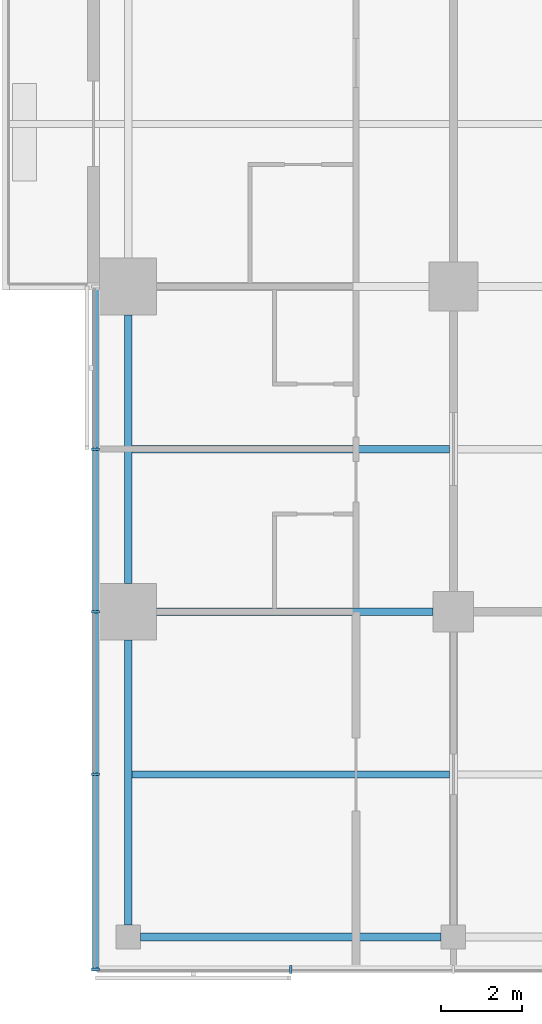
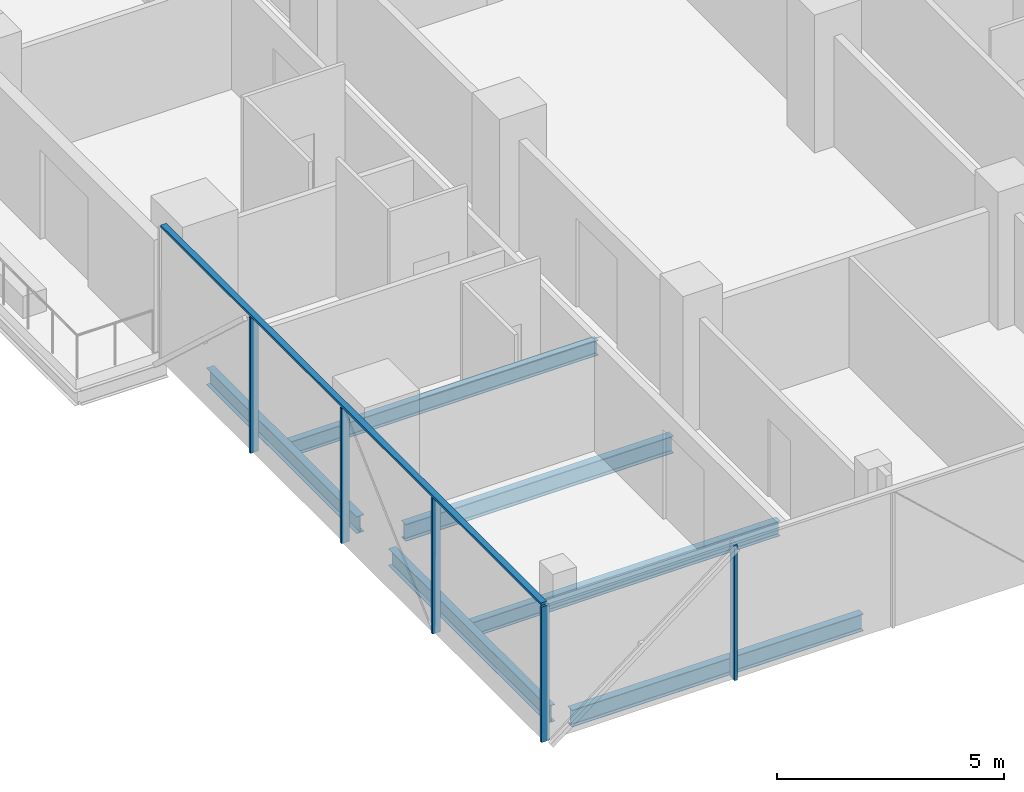
# One storey, part 2 of 27: 6 beams, 6 members, 2 elements without a shape of their own.
"""IFC4 building model written with IfcOpenShell, lengths in metres."""

from ifc_helpers import new_model, si_unit, direction, frame, origin, origin_2d, place, context, subcontext, project, spatial, rectangle, i_section, extrude, material, material_profile, profile_set, type_object, element, aggregate, save


model = new_model("IFC4")

# Units and contexts
model_context = context("Model", 3, precision=1e-05, world=origin(), true_north=direction((0.0, 1.0)))
body_context = subcontext(model_context, "Body", "Model", "MODEL_VIEW")
ifc_project = project(units=[si_unit("LENGTHUNIT", "METRE"), si_unit("AREAUNIT", "SQUARE_METRE"), si_unit("VOLUMEUNIT", "CUBIC_METRE"), si_unit("PLANEANGLEUNIT", "RADIAN"), si_unit("MASSUNIT", "GRAM", prefix="KILO")], contexts=[model_context])

# Site, building, storey
site_placement = place(None, origin())
site = spatial("IfcSite", under=ifc_project, at=site_placement, CompositionType="ELEMENT")
building_placement = place(site_placement, origin())
building = spatial("IfcBuilding", under=site, at=building_placement, Name="Crosswind Convention Tower", CompositionType="ELEMENT")
storey_placement = place(building_placement, frame((0.0, 0.0, 68.300048828125)))
storey = spatial("IfcBuildingStorey", under=building, at=storey_placement, Name="L11", CompositionType="ELEMENT", Elevation=68.300048828125)

# Beams
ifc_material_1 = material(Name="Steel S355", Category="steel")
ifc_material_profile_1 = material_profile(ifc_material_1, i_section(OverallWidth=0.1904296875, OverallDepth=0.457275390625, WebThickness=0.009033203125, FlangeThickness=0.014404296875, FilletRadius=0.01025390625, at=origin_2d()), Name="UB 457x191x75")
ifc_profile_set_1 = profile_set([ifc_material_profile_1], Name="Steel S355")
beam_type_1 = type_object("IfcBeamType", Name="Edge beam UB 457x191x75", PredefinedType="SPANDREL", material=ifc_profile_set_1)
beam_1_placement = place(storey_placement, frame((113.0, 64.300048828125, -0.508544921875), z_axis=(0.0, 1.0, 0.0), x_axis=(-1.0, 0.0, 0.0)))
element("IfcBeam", 1, at=beam_1_placement, inside=storey, type_object=beam_type_1, Name="B17 L11 edge beam 6", PredefinedType="SPANDREL", context=body_context, shape_type="SweptSolid", body=[
    extrude(i_section(OverallWidth=0.1904296875, OverallDepth=0.457275390625, WebThickness=0.009033203125, FlangeThickness=0.014404296875, FilletRadius=0.01025390625, at=origin_2d()), origin(), (0.0, 0.0, 1.0), 7.0),
])
beam_2_placement = place(storey_placement, frame((113.0, 72.699951171875, -0.508544921875), z_axis=(0.0, 1.0, 0.0), x_axis=(-1.0, 0.0, 0.0)))
element("IfcBeam", 2, at=beam_2_placement, inside=storey, type_object=beam_type_1, Name="B17 L11 edge beam 7", PredefinedType="SPANDREL", context=body_context, shape_type="SweptSolid", body=[
    extrude(i_section(OverallWidth=0.1904296875, OverallDepth=0.457275390625, WebThickness=0.009033203125, FlangeThickness=0.014404296875, FilletRadius=0.01025390625, at=origin_2d()), origin(), (0.0, 0.0, 1.0), 6.60009765625),
])
beam_3_placement = place(storey_placement, frame((113.300048828125, 64.0, -0.508544921875), z_axis=(1.0, 0.0, 0.0), x_axis=(0.0, 1.0, 0.0)))
element("IfcBeam", 3, at=beam_3_placement, inside=storey, type_object=beam_type_1, Name="B17 L11 edge beam 12", PredefinedType="SPANDREL", context=body_context, shape_type="SweptSolid", body=[
    extrude(i_section(OverallWidth=0.1904296875, OverallDepth=0.457275390625, WebThickness=0.009033203125, FlangeThickness=0.014404296875, FilletRadius=0.01025390625, at=origin_2d()), origin(), (0.0, 0.0, 1.0), 7.39990234375),
])
ifc_material_profile_2 = material_profile(ifc_material_1, i_section(OverallWidth=0.19140625, OverallDepth=0.460205078125, WebThickness=0.010009765625, FlangeThickness=0.01611328125, FilletRadius=0.01025390625, at=origin_2d()), Name="UB 457x191x82")
ifc_profile_set_2 = profile_set([ifc_material_profile_2], Name="Steel S355")
beam_type_2 = type_object("IfcBeamType", Name="Girder UB 457x191x82", PredefinedType="BEAM", material=ifc_profile_set_2)
beam_4_placement = place(storey_placement, frame((113.699951171875, 72.0, -0.51025390625), z_axis=(1.0, 0.0, 0.0), x_axis=(0.0, 1.0, 0.0)))
element("IfcBeam", 4, at=beam_4_placement, inside=storey, type_object=beam_type_2, Name="B3 L11 girder 1", PredefinedType="BEAM", context=body_context, shape_type="SweptSolid", body=[
    extrude(i_section(OverallWidth=0.19140625, OverallDepth=0.460205078125, WebThickness=0.010009765625, FlangeThickness=0.01611328125, FilletRadius=0.01025390625, at=origin_2d()), origin(), (0.0, 0.0, 1.0), 6.800048828125),
])

# Curtain wall, members
ifc_material_2 = material(Name="Aluminium unitised curtain wall", Category="aluminium")
curtain_wall_type = type_object("IfcCurtainWallType", Name="HOTEL UNITISED WALL 200", PredefinedType="USERDEFINED", material=ifc_material_2)
curtain_wall_1_placement = place(storey_placement, origin())
curtain_wall_1 = element("IfcCurtainWall", 5, at=curtain_wall_1_placement, inside=storey, type_object=curtain_wall_type, Name="CW2 L11 S-W 1", ObjectType="UNITISED", PredefinedType="USERDEFINED")
ifc_material_3 = material(Name="Aluminium mullion", Category="aluminium")
ifc_material_profile_3 = material_profile(ifc_material_3, rectangle(XDim=0.199951171875, YDim=0.06494140625, at=origin_2d()), Name="AL 200X65")
ifc_profile_set_3 = profile_set([ifc_material_profile_3], Name="Aluminium mullion")
member_type_1 = type_object("IfcMemberType", Name="MULLION 65X200", PredefinedType="MULLION", material=ifc_profile_set_3)
member_1_placement = place(storey_placement, frame((112.199951171875, 76.0, -0.280029296875), z_axis=(0.0, 0.0, 1.0), x_axis=(-1.0, 0.0, 0.0)))
member_1 = element("IfcMember", 6, at=member_1_placement, type_object=member_type_1, Name="CW2 mullion 2", PredefinedType="MULLION", context=body_context, shape_type="SweptSolid", body=[
    extrude(rectangle(XDim=0.199951171875, YDim=0.06494140625, at=origin_2d()), origin(), (0.0, 0.0, 1.0), 3.635009765625),
])
member_2_placement = place(storey_placement, frame((112.199951171875, 72.0, -0.280029296875), z_axis=(0.0, 0.0, 1.0), x_axis=(-1.0, 0.0, 0.0)))
member_2 = element("IfcMember", 7, at=member_2_placement, type_object=member_type_1, Name="CW2 mullion 3", PredefinedType="MULLION", context=body_context, shape_type="SweptSolid", body=[
    extrude(rectangle(XDim=0.199951171875, YDim=0.06494140625, at=origin_2d()), origin(), (0.0, 0.0, 1.0), 3.635009765625),
])
member_3_placement = place(storey_placement, frame((112.199951171875, 68.0, -0.280029296875), z_axis=(0.0, 0.0, 1.0), x_axis=(-1.0, 0.0, 0.0)))
member_3 = element("IfcMember", 8, at=member_3_placement, type_object=member_type_1, Name="CW2 mullion 4", PredefinedType="MULLION", context=body_context, shape_type="SweptSolid", body=[
    extrude(rectangle(XDim=0.199951171875, YDim=0.06494140625, at=origin_2d()), origin(), (0.0, 0.0, 1.0), 3.635009765625),
])
member_4_placement = place(storey_placement, frame((112.199951171875, 63.199951171875, -0.280029296875), z_axis=(0.0, 0.0, 1.0), x_axis=(-1.0, 0.0, 0.0)))
member_4 = element("IfcMember", 9, at=member_4_placement, type_object=member_type_1, Name="CW2 mullion 5", PredefinedType="MULLION", context=body_context, shape_type="SweptSolid", body=[
    extrude(rectangle(XDim=0.199951171875, YDim=0.06494140625, at=origin_2d()), origin(), (0.0, 0.0, 1.0), 3.635009765625),
])

# Curtain wall, member
curtain_wall_2_placement = place(storey_placement, origin())
curtain_wall_2 = element("IfcCurtainWall", 10, at=curtain_wall_2_placement, inside=storey, type_object=curtain_wall_type, Name="CW2 L11 S-TIP 1", ObjectType="UNITISED", PredefinedType="USERDEFINED")
member_5_placement = place(storey_placement, frame((117.0, 63.199951171875, -0.280029296875), z_axis=(0.0, 0.0, 1.0), x_axis=(0.0, -1.0, 0.0)))
member_5 = element("IfcMember", 11, at=member_5_placement, type_object=member_type_1, Name="CW2 mullion 2", PredefinedType="MULLION", context=body_context, shape_type="SweptSolid", body=[
    extrude(rectangle(XDim=0.199951171875, YDim=0.06494140625, at=origin_2d()), origin(), (0.0, 0.0, 1.0), 3.635009765625),
])
aggregate(curtain_wall_2, [member_5])

# Beams
ifc_material_profile_4 = material_profile(ifc_material_1, i_section(OverallWidth=0.177734375, OverallDepth=0.406494140625, WebThickness=0.0078125, FlangeThickness=0.0126953125, FilletRadius=0.01025390625, at=origin_2d()), Name="UB 406x178x60")
ifc_profile_set_4 = profile_set([ifc_material_profile_4], Name="Steel S355")
beam_type_3 = type_object("IfcBeamType", Name="Secondary beam UB 406x178x60", PredefinedType="JOIST", material=ifc_profile_set_4)
for number, where, z_axis, x_axis, name in (
    (12, (113.09521484375, 68.0, -0.483154296875), (1.0, 0.0, 0.0), (0.0, 1.0, 0.0), "B10 L11 secondary beam 7"),
    (13, (113.09521484375, 76.0, -0.483154296875), (1.0, 0.0, 0.0), (0.0, 1.0, 0.0), "B10 L11 secondary beam 8"),
):
    element("IfcBeam", number, at=place(storey_placement, frame(where, z_axis=z_axis, x_axis=x_axis)), inside=storey, type_object=beam_type_3, Name=name, PredefinedType="JOIST", context=body_context, shape_type="SweptSolid", body=[
        extrude(i_section(OverallWidth=0.177734375, OverallDepth=0.406494140625, WebThickness=0.0078125, FlangeThickness=0.0126953125, FilletRadius=0.01025390625, at=origin_2d()), origin(), (0.0, 0.0, 1.0), 7.80908203125),
    ])

# Member
ifc_material_4 = material(Name="Aluminium transom", Category="aluminium")
ifc_material_profile_5 = material_profile(ifc_material_4, rectangle(XDim=0.14990234375, YDim=0.06494140625, at=origin_2d()), Name="AL 150X65")
ifc_profile_set_5 = profile_set([ifc_material_profile_5], Name="Aluminium transom")
member_type_2 = type_object("IfcMemberType", Name="TRANSOM 65X150", PredefinedType="USERDEFINED", material=ifc_profile_set_5)
member_6_placement = place(storey_placement, frame((112.199951171875, 79.967529296875, 3.387451171875), z_axis=(0.0, -1.0, 0.0), x_axis=(1.0, 0.0, 0.0)))
member_6 = element("IfcMember", 14, at=member_6_placement, type_object=member_type_2, Name="CW2 transom", ObjectType="TRANSOM", PredefinedType="USERDEFINED", context=body_context, shape_type="SweptSolid", body=[
    extrude(rectangle(XDim=0.14990234375, YDim=0.06494140625, at=origin_2d()), origin(), (0.0, 0.0, 1.0), 16.735107421875),
])

aggregate(curtain_wall_1, [member_1, member_2, member_3, member_4, member_6])

save(model, "model.ifc")
